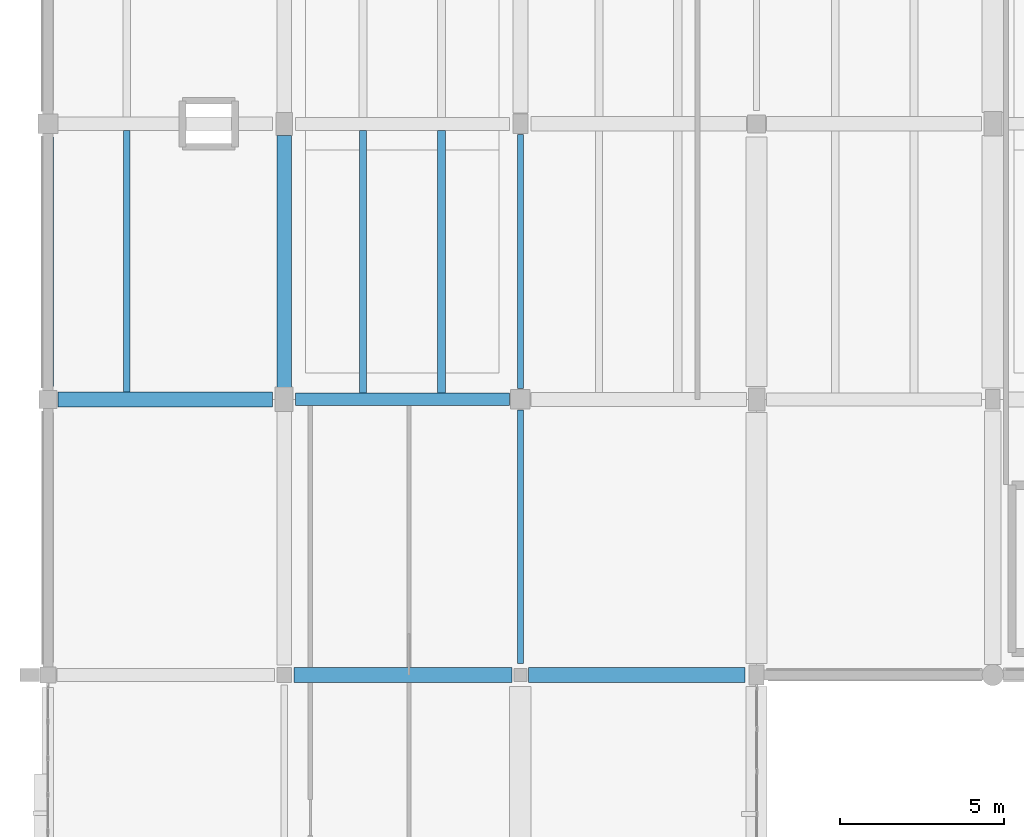
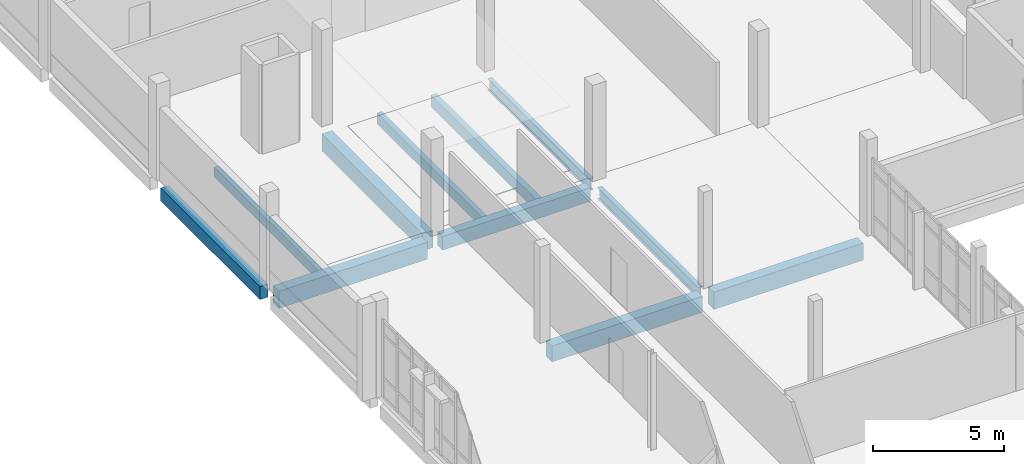
# One storey, part 25 of 62: 11 beams.
"""IFC4 building model written with IfcOpenShell, lengths in metres."""

from ifc_helpers import new_model, si_unit, direction, frame, origin, origin_2d, place, context, subcontext, project, spatial, rectangle, i_section, extrude, material, material_profile, profile_set, type_object, element, save


model = new_model("IFC4")

# Units and contexts
model_context = context("Model", 3, precision=1e-05, world=origin(), true_north=direction((0.0, 1.0)))
body_context = subcontext(model_context, "Body", "Model", "MODEL_VIEW")
ifc_project = project(units=[si_unit("LENGTHUNIT", "METRE"), si_unit("AREAUNIT", "SQUARE_METRE"), si_unit("VOLUMEUNIT", "CUBIC_METRE"), si_unit("PLANEANGLEUNIT", "RADIAN"), si_unit("MASSUNIT", "GRAM", prefix="KILO")], contexts=[model_context])

# Site, building, storey
site_placement = place(None, origin())
site = spatial("IfcSite", under=ifc_project, at=site_placement, CompositionType="ELEMENT")
building_placement = place(site_placement, origin())
building = spatial("IfcBuilding", under=site, at=building_placement, Name="Kalluvel Institute of Natural Sciences", CompositionType="ELEMENT")
storey_placement = place(building_placement, frame((0.0, 0.0, 27.89990234375)))
storey = spatial("IfcBuildingStorey", under=building, at=storey_placement, Name="L06", CompositionType="ELEMENT", Elevation=27.89990234375)

# Beams
ifc_material_1 = material(Name="Steel E350 Grade 350", Category="steel")
ifc_material_profile_1 = material_profile(ifc_material_1, i_section(OverallWidth=0.18994140625, OverallDepth=0.550048828125, WebThickness=0.01123046875, FlangeThickness=0.019287109375, FilletRadius=0.01806640625, at=origin_2d()), Name="ISMB 550")
ifc_profile_set_1 = profile_set([ifc_material_profile_1], Name="Steel E350 Grade 350")
beam_type_1 = type_object("IfcBeamType", Name="BM-ISMB550", PredefinedType="BEAM", material=ifc_profile_set_1)
beam_1_placement = place(storey_placement, frame((28.39990234375, 94.75, -0.574951171875), z_axis=(0.0, 1.0, 0.0), x_axis=(-1.0, 0.0, 0.0)))
element("IfcBeam", 1, at=beam_1_placement, inside=storey, type_object=beam_type_1, Name="L06 girder GIR-L06-NS-X284-Y944", PredefinedType="BEAM", context=body_context, shape_type="SweptSolid", body=[
    extrude(i_section(OverallWidth=0.18994140625, OverallDepth=0.550048828125, WebThickness=0.01123046875, FlangeThickness=0.019287109375, FilletRadius=0.01806640625, at=origin_2d()), origin(), (0.0, 0.0, 1.0), 7.72509765625),
])
beam_2_placement = place(storey_placement, frame((28.39990234375, 103.125, -0.594970703125), z_axis=(0.0, 1.0, 0.0), x_axis=(-1.0, 0.0, 0.0)))
element("IfcBeam", 2, at=beam_2_placement, inside=storey, type_object=beam_type_1, Name="L06 girder GIR-L06-NS-X284-Y1028", PredefinedType="BEAM", context=body_context, shape_type="SweptSolid", body=[
    extrude(i_section(OverallWidth=0.18994140625, OverallDepth=0.550048828125, WebThickness=0.01123046875, FlangeThickness=0.019287109375, FilletRadius=0.01806640625, at=origin_2d()), origin(), (0.0, 0.0, 1.0), 7.75),
])
ifc_material_2 = material(Name="Concrete M40", Category="concrete")
ifc_material_profile_2 = material_profile(ifc_material_2, rectangle(XDim=0.3798828125, YDim=0.639892578125, at=origin_2d()), Name="RCB 380x640")
ifc_profile_set_2 = profile_set([ifc_material_profile_2], Name="Concrete M40")
beam_type_2 = type_object("IfcBeamType", Name="BM-RC380x640", PredefinedType="BEAM", material=ifc_profile_set_2)
beam_3_placement = place(storey_placement, frame((21.550048828125, 102.800048828125, -0.639892578125), z_axis=(1.0, 0.0, 0.0), x_axis=(0.0, 1.0, 0.0)))
element("IfcBeam", 3, at=beam_3_placement, inside=storey, type_object=beam_type_2, Name="L06 girder GIR-L06-EW-X212-Y1028", PredefinedType="BEAM", context=body_context, shape_type="SweptSolid", body=[
    extrude(rectangle(XDim=0.3798828125, YDim=0.639892578125, at=origin_2d()), origin(), (0.0, 0.0, 1.0), 6.52490234375),
])
ifc_material_profile_3 = material_profile(ifc_material_2, rectangle(XDim=0.449951171875, YDim=0.75, at=origin_2d()), Name="RCB 450x750")
ifc_profile_set_3 = profile_set([ifc_material_profile_3], Name="Concrete M40")
beam_type_3 = type_object("IfcBeamType", Name="BM-RC450x750", PredefinedType="BEAM", material=ifc_profile_set_3)
beam_4_placement = place(storey_placement, frame((21.5, 94.39990234375, -0.6748046875), z_axis=(1.0, 0.0, 0.0), x_axis=(0.0, 1.0, 0.0)))
element("IfcBeam", 4, at=beam_4_placement, inside=storey, type_object=beam_type_3, Name="L06 girder GIR-L06-EW-X212-Y944", PredefinedType="BEAM", context=body_context, shape_type="SweptSolid", body=[
    extrude(rectangle(XDim=0.449951171875, YDim=0.75, at=origin_2d()), origin(), (0.0, 0.0, 1.0), 6.64990234375),
])
ifc_material_profile_4 = material_profile(ifc_material_2, rectangle(XDim=0.449951171875, YDim=0.800048828125, at=origin_2d()), Name="RCB 450x800")
ifc_profile_set_4 = profile_set([ifc_material_profile_4], Name="Concrete M40")
beam_type_4 = type_object("IfcBeamType", Name="BM-RC450x800", PredefinedType="BEAM", material=ifc_profile_set_4)
beam_5_placement = place(storey_placement, frame((28.64990234375, 94.39990234375, -0.699951171875), z_axis=(1.0, 0.0, 0.0), x_axis=(0.0, 1.0, 0.0)))
element("IfcBeam", 5, at=beam_5_placement, inside=storey, type_object=beam_type_4, Name="L06 girder GIR-L06-EW-X284-Y944", PredefinedType="BEAM", context=body_context, shape_type="SweptSolid", body=[
    extrude(rectangle(XDim=0.449951171875, YDim=0.800048828125, at=origin_2d()), origin(), (0.0, 0.0, 1.0), 6.60009765625),
])
beam_6_placement = place(storey_placement, frame((14.300048828125, 102.800048828125, -0.719970703125), z_axis=(1.0, 0.0, 0.0), x_axis=(0.0, 1.0, 0.0)))
element("IfcBeam", 6, at=beam_6_placement, inside=storey, type_object=beam_type_4, Name="L06 girder GIR-L06-EW-X140-Y1028", PredefinedType="BEAM", context=body_context, shape_type="SweptSolid", body=[
    extrude(rectangle(XDim=0.449951171875, YDim=0.800048828125, at=origin_2d()), origin(), (0.0, 0.0, 1.0), 6.550048828125),
])
beam_7_placement = place(storey_placement, frame((21.199951171875, 103.14990234375, -0.719970703125), z_axis=(0.0, 1.0, 0.0), x_axis=(-1.0, 0.0, 0.0)))
element("IfcBeam", 7, at=beam_7_placement, inside=storey, type_object=beam_type_4, Name="L06 girder GIR-L06-NS-X212-Y1028", PredefinedType="BEAM", context=body_context, shape_type="SweptSolid", body=[
    extrude(rectangle(XDim=0.449951171875, YDim=0.800048828125, at=origin_2d()), origin(), (0.0, 0.0, 1.0), 7.7001953125),
])
ifc_material_profile_5 = material_profile(ifc_material_2, rectangle(XDim=0.35009765625, YDim=0.60009765625, at=origin_2d()), Name="RCB 350x600")
ifc_profile_set_5 = profile_set([ifc_material_profile_5], Name="Concrete M40")
beam_type_5 = type_object("IfcBeamType", Name="SP-RC350x600", PredefinedType="SPANDREL", material=ifc_profile_set_5)
beam_8_placement = place(storey_placement, frame((14.0, 103.199951171875, -0.619873046875), z_axis=(0.0, 1.0, 0.0), x_axis=(-1.0, 0.0, 0.0)))
element("IfcBeam", 8, at=beam_8_placement, inside=storey, type_object=beam_type_5, Name="L06 girder GIR-L06-NS-X140-Y1028", PredefinedType="SPANDREL", context=body_context, shape_type="SweptSolid", body=[
    extrude(rectangle(XDim=0.35009765625, YDim=0.60009765625, at=origin_2d()), origin(), (0.0, 0.0, 1.0), 7.60009765625),
])
ifc_material_profile_6 = material_profile(ifc_material_2, rectangle(XDim=0.199951171875, YDim=0.4599609375, at=origin_2d()), Name="WAF 200x460")
ifc_profile_set_6 = profile_set([ifc_material_profile_6], Name="Concrete M40")
beam_type_6 = type_object("IfcBeamType", Name="WJ-200x460", PredefinedType="JOIST", material=ifc_profile_set_6)
beam_9_placement = place(storey_placement, frame((16.39990234375, 103.02490234375, -0.5498046875), z_axis=(0.0, 1.0, 0.0), x_axis=(-1.0, 0.0, 0.0)))
element("IfcBeam", 9, at=beam_9_placement, inside=storey, type_object=beam_type_6, Name="L06 waffle joist RIB-L06-0443", PredefinedType="JOIST", context=body_context, shape_type="SweptSolid", body=[
    extrude(rectangle(XDim=0.199951171875, YDim=0.4599609375, at=origin_2d()), origin(), (0.0, 0.0, 1.0), 7.965087890625),
])
ifc_material_profile_7 = material_profile(ifc_material_2, rectangle(XDim=0.219970703125, YDim=0.5, at=origin_2d()), Name="WAF 220x500")
ifc_profile_set_7 = profile_set([ifc_material_profile_7], Name="Concrete M40")
beam_type_7 = type_object("IfcBeamType", Name="WJ-220x500", PredefinedType="JOIST", material=ifc_profile_set_7)
beam_10_placement = place(storey_placement, frame((23.60009765625, 102.989990234375, -0.56982421875), z_axis=(0.0, 1.0, 0.0), x_axis=(-1.0, 0.0, 0.0)))
element("IfcBeam", 10, at=beam_10_placement, inside=storey, type_object=beam_type_7, Name="L06 waffle joist RIB-L06-0447", PredefinedType="JOIST", context=body_context, shape_type="SweptSolid", body=[
    extrude(rectangle(XDim=0.219970703125, YDim=0.5, at=origin_2d()), origin(), (0.0, 0.0, 1.0), 8.010009765625),
])
ifc_material_profile_8 = material_profile(ifc_material_2, rectangle(XDim=0.25, YDim=0.550048828125, at=origin_2d()), Name="WAF 250x550")
ifc_profile_set_8 = profile_set([ifc_material_profile_8], Name="Concrete M40")
beam_type_8 = type_object("IfcBeamType", Name="WJ-250x550", PredefinedType="JOIST", material=ifc_profile_set_8)
beam_11_placement = place(storey_placement, frame((26.0, 102.989990234375, -0.594970703125), z_axis=(0.0, 1.0, 0.0), x_axis=(-1.0, 0.0, 0.0)))
element("IfcBeam", 11, at=beam_11_placement, inside=storey, type_object=beam_type_8, Name="L06 waffle joist RIB-L06-0448", PredefinedType="JOIST", context=body_context, shape_type="SweptSolid", body=[
    extrude(rectangle(XDim=0.25, YDim=0.550048828125, at=origin_2d()), origin(), (0.0, 0.0, 1.0), 8.010009765625),
])

save(model, "model.ifc")
